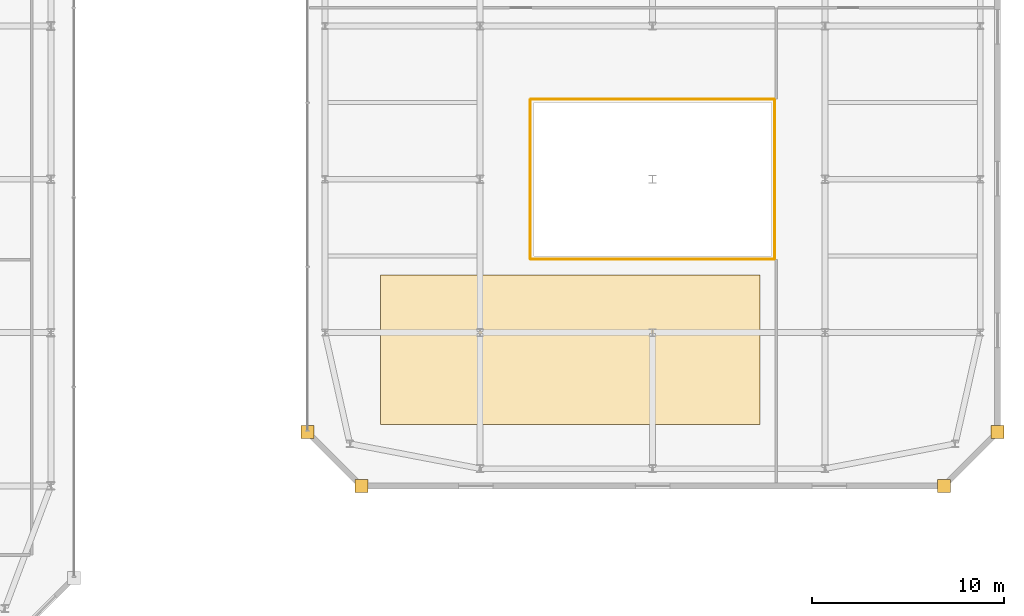
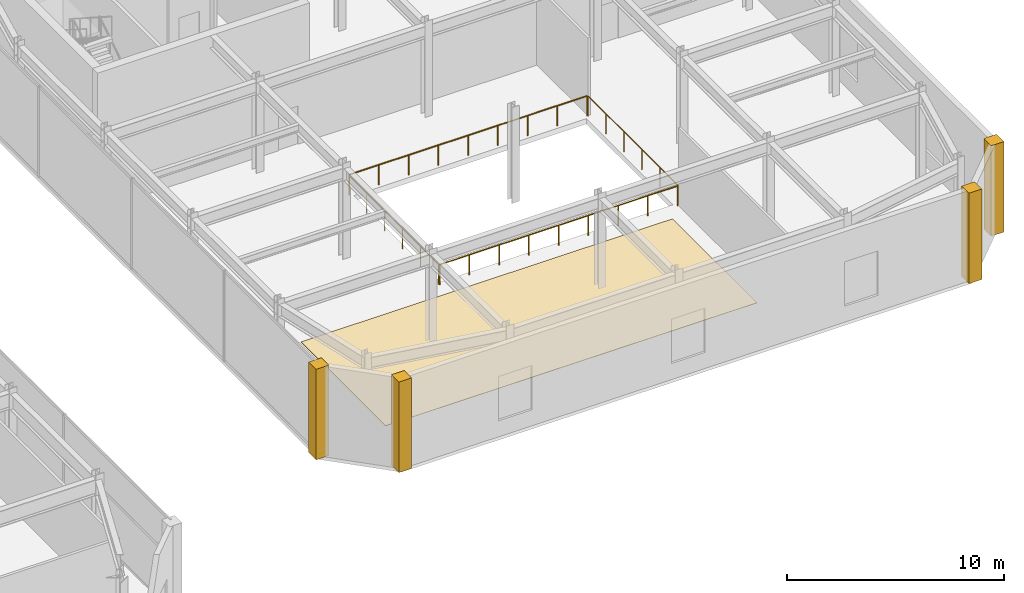
# One storey, part 50 of 52: 5 coverings, 4 railings.
"""IFC4 building model written with IfcOpenShell, lengths in metres."""

from ifc_helpers import new_model, si_unit, direction, frame, origin, origin_2d, place, context, subcontext, project, spatial, polyline, circle, outline, extrude, material, layer, layer_set, type_object, element, save


model = new_model("IFC4")

# Units and contexts
model_context = context("Model", 3, precision=1e-05, world=origin(), true_north=direction((0.0, 1.0)))
body_context = subcontext(model_context, "Body", "Model", "MODEL_VIEW")
ifc_project = project(units=[si_unit("LENGTHUNIT", "METRE"), si_unit("AREAUNIT", "SQUARE_METRE"), si_unit("VOLUMEUNIT", "CUBIC_METRE"), si_unit("PLANEANGLEUNIT", "RADIAN"), si_unit("MASSUNIT", "GRAM", prefix="KILO")], contexts=[model_context])

# Site, building, storey
site_placement = place(None, origin())
site = spatial("IfcSite", under=ifc_project, at=site_placement, CompositionType="ELEMENT")
building_placement = place(site_placement, origin())
building = spatial("IfcBuilding", under=site, at=building_placement, Name="Saevonmaru Cultural Tower", CompositionType="ELEMENT")
storey_placement = place(building_placement, frame((0.0, 0.0, 11.39990234375)))
storey = spatial("IfcBuildingStorey", under=building, at=storey_placement, Name="L02", CompositionType="ELEMENT", Elevation=11.39990234375)

# Coverings
ifc_material_1 = material(Name="Satin Bronze Anodised Aluminium", Category="aluminium")
ifc_layer_1 = layer(ifc_material_1, 0.679931640625, Name="Satin Bronze Anodised Aluminium")
ifc_layer_set_1 = layer_set([ifc_layer_1], Name="Satin Bronze Anodised Aluminium")
covering_type_1 = type_object("IfcCoveringType", Name="CV-CORNER-CLAD", PredefinedType="CLADDING", material=ifc_layer_set_1)
covering_1_placement = place(storey_placement, origin())
element("IfcCovering", 1, at=covering_1_placement, inside=storey, type_object=covering_type_1, Name="L02 Library Bronze Corner Cladding Pier 1", PredefinedType="CLADDING", context=body_context, shape_type="SweptSolid", body=[
    extrude(outline(polyline([(71.860107421875, 10.4599609375), (72.5400390625, 10.4599609375), (72.5400390625, 11.139892578125), (71.860107421875, 11.139892578125), (71.860107421875, 10.4599609375)])), origin(), (0.0, 0.0, 1.0), 5.10009765625),
])
covering_2_placement = place(storey_placement, origin())
element("IfcCovering", 2, at=covering_2_placement, inside=storey, type_object=covering_type_1, Name="L02 Library Bronze Corner Cladding Pier 2", PredefinedType="CLADDING", context=body_context, shape_type="SweptSolid", body=[
    extrude(outline(polyline([(74.659912109375, 7.659912109375), (75.340087890625, 7.659912109375), (75.340087890625, 8.340087890625), (74.659912109375, 8.340087890625), (74.659912109375, 7.659912109375)])), origin(), (0.0, 0.0, 1.0), 5.10009765625),
])
covering_3_placement = place(storey_placement, origin())
element("IfcCovering", 3, at=covering_3_placement, inside=storey, type_object=covering_type_1, Name="L02 Library Bronze Corner Cladding Pier 3", PredefinedType="CLADDING", context=body_context, shape_type="SweptSolid", body=[
    extrude(outline(polyline([(105.06005859375, 7.659912109375), (105.739990234375, 7.659912109375), (105.739990234375, 8.340087890625), (105.06005859375, 8.340087890625), (105.06005859375, 7.659912109375)])), origin(), (0.0, 0.0, 1.0), 5.10009765625),
])
covering_4_placement = place(storey_placement, origin())
element("IfcCovering", 4, at=covering_4_placement, inside=storey, type_object=covering_type_1, Name="L02 Library Bronze Corner Cladding Pier 4", PredefinedType="CLADDING", context=body_context, shape_type="SweptSolid", body=[
    extrude(outline(polyline([(107.860107421875, 10.4599609375), (108.5400390625, 10.4599609375), (108.5400390625, 11.139892578125), (107.860107421875, 11.139892578125), (107.860107421875, 10.4599609375)])), origin(), (0.0, 0.0, 1.0), 5.10009765625),
])
ifc_material_2 = material(Name="Engineered Acoustic Oak Flooring", Category="wood")
ifc_layer_2 = layer(ifc_material_2, 0.02392578125, Name="Engineered Acoustic Oak Flooring")
ifc_layer_set_2 = layer_set([ifc_layer_2], Name="Engineered Acoustic Oak Flooring")
covering_type_2 = type_object("IfcCoveringType", Name="CV-FLR-OAK", PredefinedType="FLOORING", material=ifc_layer_set_2)
covering_5_placement = place(storey_placement, origin())
element("IfcCovering", 5, at=covering_5_placement, inside=storey, type_object=covering_type_2, Name="L02 Library Reading Hall Acoustic Oak Flooring", PredefinedType="FLOORING", context=body_context, shape_type="SweptSolid", body=[
    extrude(outline(polyline([(76.0, 11.199951171875), (95.800048828125, 11.199951171875), (95.800048828125, 19.0), (76.0, 19.0), (76.0, 11.199951171875)])), origin(), (0.0, 0.0, 1.0), 0.024169921875),
])

# Railings
railing_type = type_object("IfcRailingType", Name="RL-ATRIUM-1150", PredefinedType="GUARDRAIL", material=ifc_material_1)
railing_1_placement = place(storey_placement, frame((83.860107421875, 19.820068359375, 0.0)))
element("IfcRailing", 6, at=railing_1_placement, inside=storey, type_object=railing_type, Name="L02 Library Reading Atrium Guardrail Seg 1", PredefinedType="GUARDRAIL", context=body_context, shape_type="SweptSolid", body=[
    extrude(circle(Radius=0.02392578125, at=origin_2d()), frame((0.0, 0.0, 1.1259765625), z_axis=(1.0, 0.0, 0.0), x_axis=(0.0, 1.0, 0.0)), (0.0, 0.0, 1.0), 12.679931640625),
    extrude(circle(Radius=0.02099609375, at=origin_2d()), origin(), (0.0, 0.0, 1.0), 1.101806640625),
    extrude(circle(Radius=0.02099609375, at=origin_2d()), frame((1.5849609375, 0.0, 0.0)), (0.0, 0.0, 1.0), 1.101806640625),
    extrude(circle(Radius=0.02099609375, at=origin_2d()), frame((3.169921875, 0.0, 0.0)), (0.0, 0.0, 1.0), 1.101806640625),
    extrude(circle(Radius=0.02099609375, at=origin_2d()), frame((4.7548828125, 0.0, 0.0)), (0.0, 0.0, 1.0), 1.101806640625),
    extrude(circle(Radius=0.02099609375, at=origin_2d()), frame((6.33984375, 0.0, 0.0)), (0.0, 0.0, 1.0), 1.101806640625),
    extrude(circle(Radius=0.02099609375, at=origin_2d()), frame((7.925048828125, 0.0, 0.0)), (0.0, 0.0, 1.0), 1.101806640625),
    extrude(circle(Radius=0.02099609375, at=origin_2d()), frame((9.510009765625, 0.0, 0.0)), (0.0, 0.0, 1.0), 1.101806640625),
    extrude(circle(Radius=0.02099609375, at=origin_2d()), frame((11.094970703125, 0.0, 0.0)), (0.0, 0.0, 1.0), 1.101806640625),
    extrude(circle(Radius=0.02099609375, at=origin_2d()), frame((12.679931640625, 0.0, 0.0)), (0.0, 0.0, 1.0), 1.101806640625),
])
railing_2_placement = place(storey_placement, frame((96.580078125, 19.860107421875, 0.0)))
element("IfcRailing", 7, at=railing_2_placement, inside=storey, type_object=railing_type, Name="L02 Library Reading Atrium Guardrail Seg 2", PredefinedType="GUARDRAIL", context=body_context, shape_type="SweptSolid", body=[
    extrude(circle(Radius=0.02392578125, at=origin_2d()), frame((0.0, 0.0, 1.1259765625), z_axis=(0.0, 1.0, 0.0), x_axis=(-1.0, 0.0, 0.0)), (0.0, 0.0, 1.0), 8.27978515625),
    extrude(circle(Radius=0.02099609375, at=origin_2d()), origin(), (0.0, 0.0, 1.0), 1.101806640625),
    extrude(circle(Radius=0.02099609375, at=origin_2d()), frame((0.0, 1.656005859375, 0.0)), (0.0, 0.0, 1.0), 1.101806640625),
    extrude(circle(Radius=0.02099609375, at=origin_2d()), frame((0.0, 3.31201171875, 0.0)), (0.0, 0.0, 1.0), 1.101806640625),
    extrude(circle(Radius=0.02099609375, at=origin_2d()), frame((0.0, 4.9677734375, 0.0)), (0.0, 0.0, 1.0), 1.101806640625),
    extrude(circle(Radius=0.02099609375, at=origin_2d()), frame((0.0, 6.623779296875, 0.0)), (0.0, 0.0, 1.0), 1.101806640625),
    extrude(circle(Radius=0.02099609375, at=origin_2d()), frame((0.0, 8.27978515625, 0.0)), (0.0, 0.0, 1.0), 1.101806640625),
])
railing_3_placement = place(storey_placement, frame((96.5400390625, 28.179931640625, 0.0)))
element("IfcRailing", 8, at=railing_3_placement, inside=storey, type_object=railing_type, Name="L02 Library Reading Atrium Guardrail Seg 3", PredefinedType="GUARDRAIL", context=body_context, shape_type="SweptSolid", body=[
    extrude(circle(Radius=0.02392578125, at=origin_2d()), frame((0.0, 0.0, 1.1259765625), z_axis=(-1.0, 0.0, 0.0), x_axis=(0.0, -1.0, 0.0)), (0.0, 0.0, 1.0), 12.679931640625),
    extrude(circle(Radius=0.02099609375, at=origin_2d()), origin(), (0.0, 0.0, 1.0), 1.101806640625),
    extrude(circle(Radius=0.02099609375, at=origin_2d()), frame((-1.5849609375, 0.0, 0.0)), (0.0, 0.0, 1.0), 1.101806640625),
    extrude(circle(Radius=0.02099609375, at=origin_2d()), frame((-3.169921875, 0.0, 0.0)), (0.0, 0.0, 1.0), 1.101806640625),
    extrude(circle(Radius=0.02099609375, at=origin_2d()), frame((-4.7548828125, 0.0, 0.0)), (0.0, 0.0, 1.0), 1.101806640625),
    extrude(circle(Radius=0.02099609375, at=origin_2d()), frame((-6.33984375, 0.0, 0.0)), (0.0, 0.0, 1.0), 1.101806640625),
    extrude(circle(Radius=0.02099609375, at=origin_2d()), frame((-7.925048828125, 0.0, 0.0)), (0.0, 0.0, 1.0), 1.101806640625),
    extrude(circle(Radius=0.02099609375, at=origin_2d()), frame((-9.510009765625, 0.0, 0.0)), (0.0, 0.0, 1.0), 1.101806640625),
    extrude(circle(Radius=0.02099609375, at=origin_2d()), frame((-11.094970703125, 0.0, 0.0)), (0.0, 0.0, 1.0), 1.101806640625),
    extrude(circle(Radius=0.02099609375, at=origin_2d()), frame((-12.679931640625, 0.0, 0.0)), (0.0, 0.0, 1.0), 1.101806640625),
])
railing_4_placement = place(storey_placement, frame((83.820068359375, 28.139892578125, 0.0)))
element("IfcRailing", 9, at=railing_4_placement, inside=storey, type_object=railing_type, Name="L02 Library Reading Atrium Guardrail Seg 4", PredefinedType="GUARDRAIL", context=body_context, shape_type="SweptSolid", body=[
    extrude(circle(Radius=0.02392578125, at=origin_2d()), frame((0.0, 0.0, 1.1259765625), z_axis=(0.0, -1.0, 0.0), x_axis=(1.0, 0.0, 0.0)), (0.0, 0.0, 1.0), 8.27978515625),
    extrude(circle(Radius=0.02099609375, at=origin_2d()), origin(), (0.0, 0.0, 1.0), 1.101806640625),
    extrude(circle(Radius=0.02099609375, at=origin_2d()), frame((0.0, -1.656005859375, 0.0)), (0.0, 0.0, 1.0), 1.101806640625),
    extrude(circle(Radius=0.02099609375, at=origin_2d()), frame((0.0, -3.31201171875, 0.0)), (0.0, 0.0, 1.0), 1.101806640625),
    extrude(circle(Radius=0.02099609375, at=origin_2d()), frame((0.0, -4.9677734375, 0.0)), (0.0, 0.0, 1.0), 1.101806640625),
    extrude(circle(Radius=0.02099609375, at=origin_2d()), frame((0.0, -6.623779296875, 0.0)), (0.0, 0.0, 1.0), 1.101806640625),
    extrude(circle(Radius=0.02099609375, at=origin_2d()), frame((0.0, -8.27978515625, 0.0)), (0.0, 0.0, 1.0), 1.101806640625),
])

save(model, "model.ifc")
